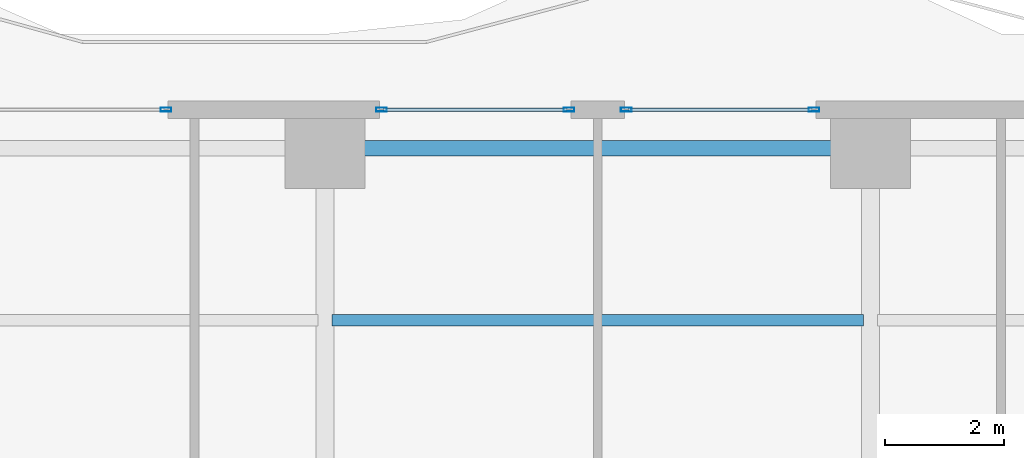
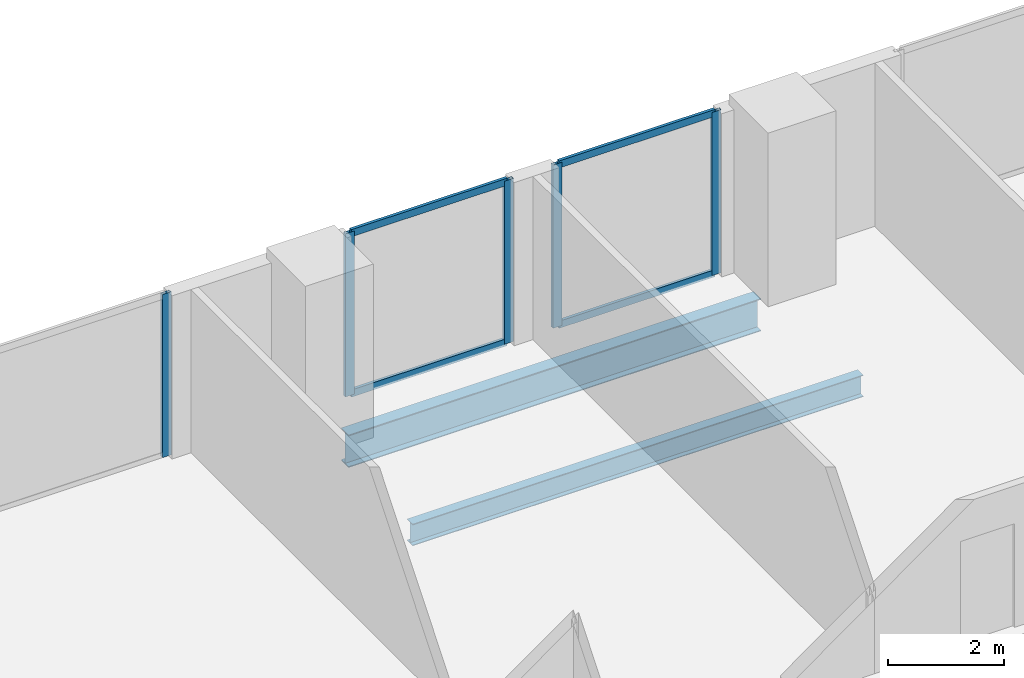
# One storey, part 17 of 29: 9 members, 2 beams, 3 elements without a shape of their own.
"""IFC4 building model written with IfcOpenShell, lengths in metres."""

from ifc_helpers import new_model, si_unit, direction, frame, origin, origin_2d, place, context, subcontext, project, spatial, hollow_rectangle, i_section, extrude, material, layer, layer_set, material_profile, profile_set, type_object, element, aggregate, save


model = new_model("IFC4")

# Units and contexts
model_context = context("Model", 3, precision=1e-05, world=origin(), true_north=direction((0.0, 1.0)))
body_context = subcontext(model_context, "Body", "Model", "MODEL_VIEW")
ifc_project = project(units=[si_unit("LENGTHUNIT", "METRE"), si_unit("AREAUNIT", "SQUARE_METRE"), si_unit("VOLUMEUNIT", "CUBIC_METRE"), si_unit("PLANEANGLEUNIT", "RADIAN"), si_unit("MASSUNIT", "GRAM", prefix="KILO")], contexts=[model_context])

# Site, building, storey
site_placement = place(None, origin())
site = spatial("IfcSite", under=ifc_project, at=site_placement, CompositionType="ELEMENT")
building_placement = place(site_placement, origin())
building = spatial("IfcBuilding", under=site, at=building_placement, Name="Zuhayl Quay Hotel", CompositionType="ELEMENT")
storey_placement = place(building_placement, frame((0.0, 0.0, 132.14990234375)))
storey = spatial("IfcBuildingStorey", under=building, at=storey_placement, Name="L33", CompositionType="ELEMENT", Elevation=132.14990234375)

# Beams
ifc_material_1 = material(Name="Steel ASTM A992 Grade 50", Category="steel")
ifc_material_profile_1 = material_profile(ifc_material_1, i_section(OverallWidth=0.25390625, OverallDepth=0.68310546875, WebThickness=0.012451171875, FlangeThickness=0.018798828125, at=origin_2d()), Name="W27X94")
ifc_profile_set_1 = profile_set([ifc_material_profile_1], Name="Steel ASTM A992 Grade 50")
beam_type_1 = type_object("IfcBeamType", Name="BM_B2_W27X94", PredefinedType="BEAM", material=ifc_profile_set_1)
beam_1_placement = place(storey_placement, frame((4.10009765625, 27.75, -0.5615234375), z_axis=(-1.0, 0.0, 0.0), x_axis=(0.0, -1.0, 0.0)))
element("IfcBeam", 1, at=beam_1_placement, inside=storey, type_object=beam_type_1, Name="L33 Floor Beam RG_L33_08", PredefinedType="BEAM", context=body_context, shape_type="SweptSolid", body=[
    extrude(i_section(OverallWidth=0.25390625, OverallDepth=0.68310546875, WebThickness=0.012451171875, FlangeThickness=0.018798828125, at=origin_2d()), origin(), (0.0, 0.0, 1.0), 8.2001953125),
])
ifc_material_profile_2 = material_profile(ifc_material_1, i_section(OverallWidth=0.18994140625, OverallDepth=0.45703125, WebThickness=0.009033203125, FlangeThickness=0.014404296875, at=origin_2d()), Name="W18X50")
ifc_profile_set_2 = profile_set([ifc_material_profile_2], Name="Steel ASTM A992 Grade 50")
beam_type_2 = type_object("IfcBeamType", Name="BM_J2_W18X50", PredefinedType="JOIST", material=ifc_profile_set_2)
beam_2_placement = place(storey_placement, frame((-4.48095703125, 24.85009765625, -0.448486328125), z_axis=(1.0, 0.0, 0.0), x_axis=(0.0, 1.0, 0.0)))
element("IfcBeam", 2, at=beam_2_placement, inside=storey, type_object=beam_type_2, Name="L33 Floor Beam FJ_L33_4_2", PredefinedType="JOIST", context=body_context, shape_type="SweptSolid", body=[
    extrude(i_section(OverallWidth=0.18994140625, OverallDepth=0.45703125, WebThickness=0.009033203125, FlangeThickness=0.014404296875, at=origin_2d()), origin(), (0.0, 0.0, 1.0), 8.9619140625),
])

# Curtain wall, member
ifc_material_2 = material(Name="Anodised Aluminium 6063-T6", Category="aluminium")
ifc_layer = layer(ifc_material_2, 0.179931640625, Name="Anodised Aluminium 6063-T6", Category="aluminium")
ifc_layer_set = layer_set([ifc_layer], Name="Anodised Aluminium 6063-T6")
curtain_wall_type = type_object("IfcCurtainWallType", Name="CW_SYS_Z2", PredefinedType="USERDEFINED", material=ifc_layer_set)
curtain_wall_1_placement = place(storey_placement, origin())
curtain_wall_1 = element("IfcCurtainWall", 3, at=curtain_wall_1_placement, inside=storey, type_object=curtain_wall_type, Name="L33 Curtain Wall ENV_L33_N_CW2", ObjectType="UNITISED CURTAIN WALL", PredefinedType="USERDEFINED")
ifc_material_3 = material(Name="Black-anodised aluminium 6063-T6", Category="aluminium")
ifc_material_profile_3 = material_profile(ifc_material_3, hollow_rectangle(XDim=0.06494140625, YDim=0.179931640625, WallThickness=0.00341796875, at=origin_2d()), Name="ALU180X65")
ifc_profile_set_3 = profile_set([ifc_material_profile_3], Name="Black-anodised aluminium 6063-T6")
member_type_1 = type_object("IfcMemberType", Name="MB_CW_MUL_180", PredefinedType="MULLION", material=ifc_profile_set_3)
member_1_placement = place(storey_placement, frame((-7.282470703125, 28.39990234375, 0.0), z_axis=(0.0, 0.0, 1.0), x_axis=(0.0, 1.0, 0.0)))
member_1 = element("IfcMember", 4, at=member_1_placement, type_object=member_type_1, Name="CW-Z2 mullion 2", PredefinedType="MULLION", context=body_context, shape_type="SweptSolid", body=[
    extrude(hollow_rectangle(XDim=0.06494140625, YDim=0.179931640625, WallThickness=0.00341796875, at=origin_2d()), origin(), (0.0, 0.0, 1.0), 3.43017578125),
])
aggregate(curtain_wall_1, [member_1])

# Curtain wall, members
curtain_wall_2_placement = place(storey_placement, origin())
curtain_wall_2 = element("IfcCurtainWall", 5, at=curtain_wall_2_placement, inside=storey, type_object=curtain_wall_type, Name="L33 Curtain Wall ENV_L33_N_CW3", ObjectType="UNITISED CURTAIN WALL", PredefinedType="USERDEFINED")
member_2_placement = place(storey_placement, frame((-3.6474609375, 28.39990234375, 0.0), z_axis=(0.0, 0.0, 1.0), x_axis=(0.0, 1.0, 0.0)))
member_2 = element("IfcMember", 6, at=member_2_placement, type_object=member_type_1, Name="CW-Z2 mullion 1", PredefinedType="MULLION", context=body_context, shape_type="SweptSolid", body=[
    extrude(hollow_rectangle(XDim=0.06494140625, YDim=0.179931640625, WallThickness=0.00341796875, at=origin_2d()), origin(), (0.0, 0.0, 1.0), 3.43017578125),
])
member_3_placement = place(storey_placement, frame((-0.482421875, 28.39990234375, 0.0), z_axis=(0.0, 0.0, 1.0), x_axis=(0.0, 1.0, 0.0)))
member_3 = element("IfcMember", 7, at=member_3_placement, type_object=member_type_1, Name="CW-Z2 mullion 2", PredefinedType="MULLION", context=body_context, shape_type="SweptSolid", body=[
    extrude(hollow_rectangle(XDim=0.06494140625, YDim=0.179931640625, WallThickness=0.00341796875, at=origin_2d()), origin(), (0.0, 0.0, 1.0), 3.43017578125),
])

curtain_wall_3_placement = place(storey_placement, origin())
curtain_wall_3 = element("IfcCurtainWall", 8, at=curtain_wall_3_placement, inside=storey, type_object=curtain_wall_type, Name="L33 Curtain Wall ENV_L33_N_CW4", ObjectType="UNITISED CURTAIN WALL", PredefinedType="USERDEFINED")
member_4_placement = place(storey_placement, frame((0.482421875, 28.39990234375, 0.0), z_axis=(0.0, 0.0, 1.0), x_axis=(0.0, 1.0, 0.0)))
member_4 = element("IfcMember", 9, at=member_4_placement, type_object=member_type_1, Name="CW-Z2 mullion 1", PredefinedType="MULLION", context=body_context, shape_type="SweptSolid", body=[
    extrude(hollow_rectangle(XDim=0.06494140625, YDim=0.179931640625, WallThickness=0.00341796875, at=origin_2d()), origin(), (0.0, 0.0, 1.0), 3.43017578125),
])
member_5_placement = place(storey_placement, frame((3.6474609375, 28.39990234375, 0.0), z_axis=(0.0, 0.0, 1.0), x_axis=(0.0, 1.0, 0.0)))
member_5 = element("IfcMember", 10, at=member_5_placement, type_object=member_type_1, Name="CW-Z2 mullion 2", PredefinedType="MULLION", context=body_context, shape_type="SweptSolid", body=[
    extrude(hollow_rectangle(XDim=0.06494140625, YDim=0.179931640625, WallThickness=0.00341796875, at=origin_2d()), origin(), (0.0, 0.0, 1.0), 3.43017578125),
])

# Member
ifc_material_profile_4 = material_profile(ifc_material_3, hollow_rectangle(XDim=0.06005859375, YDim=0.14990234375, WallThickness=0.00341796875, at=origin_2d()), Name="ALU150X60")
ifc_profile_set_4 = profile_set([ifc_material_profile_4], Name="Black-anodised aluminium 6063-T6")
member_type_2 = type_object("IfcMemberType", Name="MB_CW_TRN_150", PredefinedType="USERDEFINED", material=ifc_profile_set_4)
member_6_placement = place(storey_placement, frame((-3.614990234375, 28.39990234375, 0.030029296875), z_axis=(1.0, 0.0, 0.0), x_axis=(0.0, 1.0, 0.0)))
member_6 = element("IfcMember", 11, at=member_6_placement, type_object=member_type_2, Name="CW-Z2 transom 1.1", ObjectType="TRANSOM", PredefinedType="USERDEFINED", context=body_context, shape_type="SweptSolid", body=[
    extrude(hollow_rectangle(XDim=0.06005859375, YDim=0.14990234375, WallThickness=0.00341796875, at=origin_2d()), origin(), (0.0, 0.0, 1.0), 3.10009765625),
])

member_7_placement = place(storey_placement, frame((-3.614990234375, 28.39990234375, 3.400146484375), z_axis=(1.0, 0.0, 0.0), x_axis=(0.0, 1.0, 0.0)))
member_7 = element("IfcMember", 12, at=member_7_placement, type_object=member_type_2, Name="CW-Z2 transom 1.2", ObjectType="TRANSOM", PredefinedType="USERDEFINED", context=body_context, shape_type="SweptSolid", body=[
    extrude(hollow_rectangle(XDim=0.06005859375, YDim=0.14990234375, WallThickness=0.00341796875, at=origin_2d()), origin(), (0.0, 0.0, 1.0), 3.10009765625),
])

aggregate(curtain_wall_2, [member_2, member_3, member_6, member_7])

member_8_placement = place(storey_placement, frame((0.514892578125, 28.39990234375, 0.030029296875), z_axis=(1.0, 0.0, 0.0), x_axis=(0.0, 1.0, 0.0)))
member_8 = element("IfcMember", 13, at=member_8_placement, type_object=member_type_2, Name="CW-Z2 transom 1.1", ObjectType="TRANSOM", PredefinedType="USERDEFINED", context=body_context, shape_type="SweptSolid", body=[
    extrude(hollow_rectangle(XDim=0.06005859375, YDim=0.14990234375, WallThickness=0.00341796875, at=origin_2d()), origin(), (0.0, 0.0, 1.0), 3.10009765625),
])

member_9_placement = place(storey_placement, frame((0.514892578125, 28.39990234375, 3.400146484375), z_axis=(1.0, 0.0, 0.0), x_axis=(0.0, 1.0, 0.0)))
member_9 = element("IfcMember", 14, at=member_9_placement, type_object=member_type_2, Name="CW-Z2 transom 1.2", ObjectType="TRANSOM", PredefinedType="USERDEFINED", context=body_context, shape_type="SweptSolid", body=[
    extrude(hollow_rectangle(XDim=0.06005859375, YDim=0.14990234375, WallThickness=0.00341796875, at=origin_2d()), origin(), (0.0, 0.0, 1.0), 3.10009765625),
])

aggregate(curtain_wall_3, [member_4, member_5, member_8, member_9])

save(model, "model.ifc")
